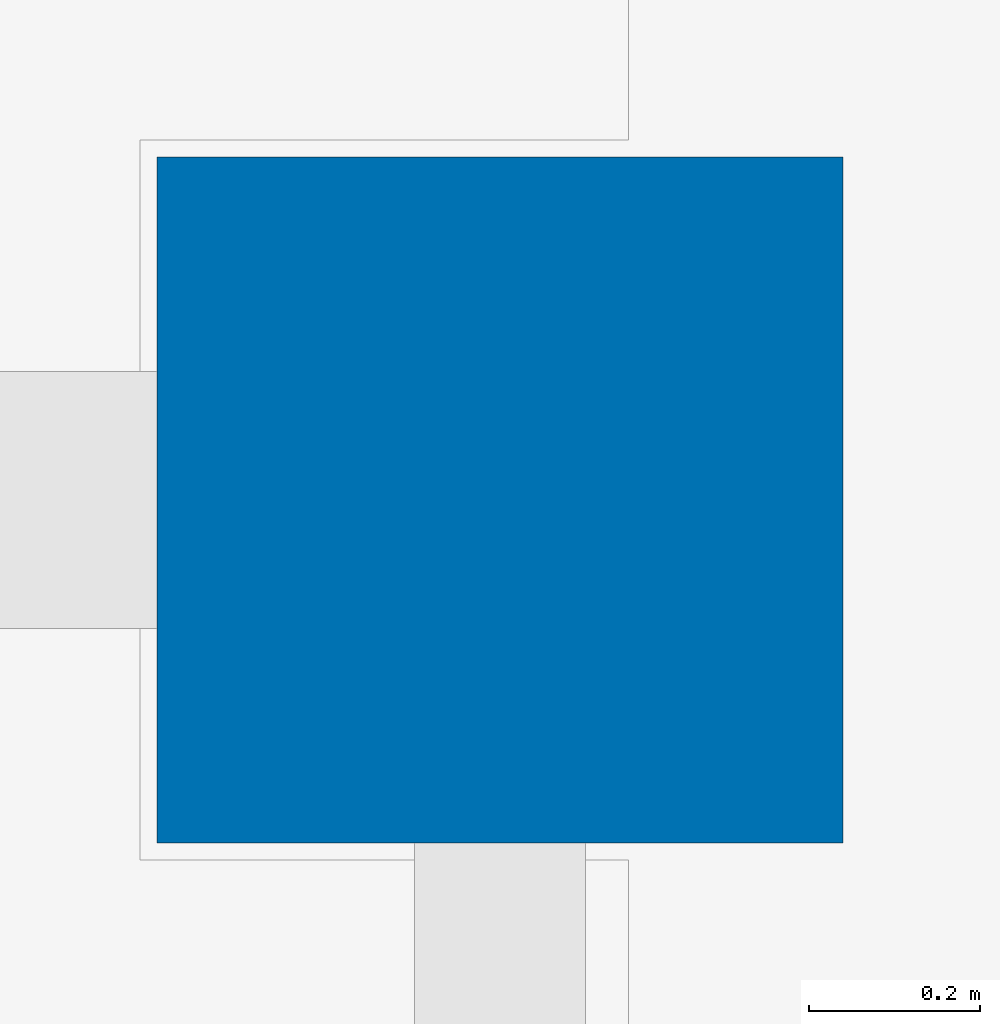
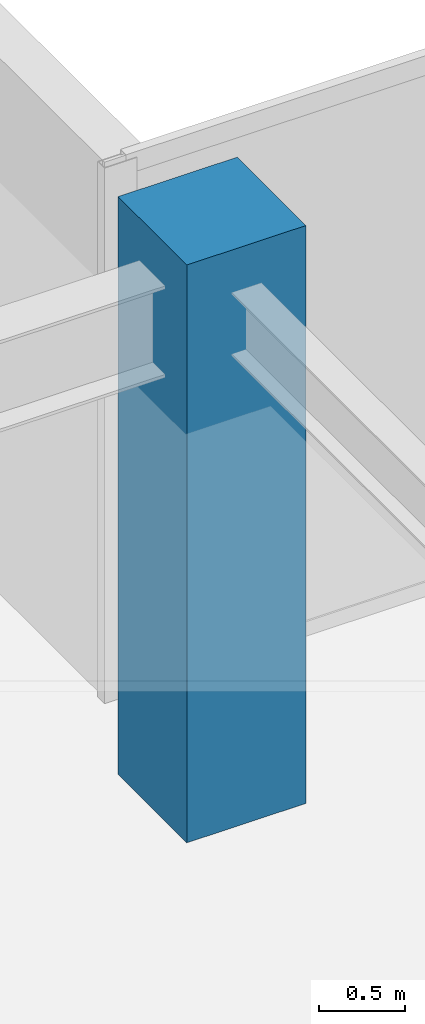
# One storey, part 4 of 36: 1 column.
"""IFC4 building model written with IfcOpenShell, lengths in metres."""

import ifcopenshell
import ifcopenshell.guid

model = None  # the IFC model being written
_history = None  # IfcOwnerHistory: only IFC2X3 demands one
_inside = {}  # id of a spatial element -> (the spatial element, [elements in it])
_under = {}  # id of a project, library or spatial element -> (it, [spatial elements below it])
_declared = {}  # id of a project -> (the project, [libraries it declares])
_typed = {}  # id of a type object -> (the type object, [elements of that type])
_made_of = {}  # id of a material, layer set ... -> (it, [elements and type objects made of it])


def new_model(schema):
    """Start an empty IFC model of exactly this schema.

    Asked for "IFC4X3", IfcOpenShell would pick the latest addendum, in which some entities
    have other attributes; the version numbers below select the first issue.
    IFC2X3 requires an IfcOwnerHistory on every rooted entity: one is made here for all.
    """
    global model, _history
    if schema == "IFC4X3":
        model = ifcopenshell.file(schema_version=(4, 3, 0, 0))
    else:
        model = ifcopenshell.file(schema=schema)
    _inside.clear()
    _under.clear()
    _declared.clear()
    _typed.clear()
    _made_of.clear()
    _history = None
    if model.schema == "IFC2X3":
        org = make("IfcOrganization", Name="unknown")
        user = make(
            "IfcPersonAndOrganization",
            ThePerson=make("IfcPerson", FamilyName="unknown"),
            TheOrganization=org,
        )
        app = make(
            "IfcApplication",
            ApplicationDeveloper=org,
            Version="unknown",
            ApplicationFullName="unknown",
            ApplicationIdentifier="unknown",
        )
        _history = make(
            "IfcOwnerHistory",
            OwningUser=user,
            OwningApplication=app,
            ChangeAction="ADDED",
            CreationDate=0,
        )
    return model


def make(cls, **values):
    """One entity of the class cls with the attributes given. An attribute that is None is left unset."""
    return model.create_entity(
        cls, **{name: value for name, value in values.items() if value is not None}
    )


def rooted(cls, **values):
    """An entity with a GlobalId (a new one), such as an element, a storey or a relation."""
    return make(cls, GlobalId=ifcopenshell.guid.new(), OwnerHistory=_history, **values)


def si_unit(unit_type, name, prefix=None):
    """IfcSIUnit, for example si_unit("LENGTHUNIT", "METRE", prefix="MILLI")."""
    return make("IfcSIUnit", UnitType=unit_type, Prefix=prefix, Name=name)


def assignment(units):
    """IfcUnitAssignment: the units of a project."""
    return None if units is None else make("IfcUnitAssignment", Units=units)


def point(xyz):
    """IfcCartesianPoint."""
    return None if xyz is None else make("IfcCartesianPoint", Coordinates=xyz)


def direction(xyz):
    """IfcDirection."""
    return None if xyz is None else make("IfcDirection", DirectionRatios=xyz)


def frame(location, z_axis=None, x_axis=None):
    """IfcAxis2Placement3D, a coordinate frame: its origin and axes. An axis left out is left unset."""
    return make(
        "IfcAxis2Placement3D",
        Location=point(location),
        Axis=direction(z_axis),
        RefDirection=direction(x_axis),
    )


def frame_2d(location, x_axis=None):
    """IfcAxis2Placement2D, a coordinate frame in the plane: its origin and x axis."""
    return make(
        "IfcAxis2Placement2D", Location=point(location), RefDirection=direction(x_axis)
    )


def origin():
    """The frame at (0, 0, 0) with its axes left unset."""
    return frame((0.0, 0.0, 0.0))


def origin_2d():
    """The frame at (0, 0) in the plane with its x axis left unset."""
    return frame_2d((0.0, 0.0))


def place(relative_to, where):
    """IfcLocalPlacement: puts the frame where relative to a parent placement (None: the world)."""
    return make(
        "IfcLocalPlacement", PlacementRelTo=relative_to, RelativePlacement=where
    )


def context(
    kind, dimensions, precision=None, world=None, true_north=None, identifier=None
):
    """IfcGeometricRepresentationContext, for example the 3D "Model" context."""
    return make(
        "IfcGeometricRepresentationContext",
        ContextIdentifier=identifier,
        ContextType=kind,
        CoordinateSpaceDimension=dimensions,
        Precision=precision,
        WorldCoordinateSystem=world,
        TrueNorth=true_north,
    )


def subcontext(parent, identifier, kind, view, scale=None):
    """IfcGeometricRepresentationSubContext, for example "Body" below "Model"."""
    return make(
        "IfcGeometricRepresentationSubContext",
        ContextIdentifier=identifier,
        ContextType=kind,
        ParentContext=parent,
        TargetScale=scale,
        TargetView=view,
    )


def project(units=None, contexts=None):
    """IfcProject with its units and contexts."""
    return rooted(
        "IfcProject",
        Name="project",
        RepresentationContexts=contexts,
        UnitsInContext=assignment(units),
    )


def spatial(cls, under=None, at=None, **own):
    """A site, building, storey or space (cls), placed at a placement, below another one or the project."""
    s = rooted(cls, ObjectPlacement=at, **own)
    if under is not None:
        _under.setdefault(under.id(), (under, []))[1].append(s)
    return s


def profile(cls, at=None, kind="AREA", **sizes):
    """A parametric profile (cls). Its sizes go by their IFC names, for example OverallWidth=200.0."""
    return make(cls, ProfileType=kind, Position=at, **sizes)


def rectangle(**sizes):
    """IfcRectangleProfileDef."""
    return profile("IfcRectangleProfileDef", **sizes)


def extrude(swept, where, along, depth):
    """IfcExtrudedAreaSolid: the profile swept, set in the frame where, extruded along a direction by depth."""
    return make(
        "IfcExtrudedAreaSolid",
        SweptArea=swept,
        Position=where,
        ExtrudedDirection=direction(along),
        Depth=depth,
    )


def shape(context_of_items, identifier, shape_type, items):
    """IfcShapeRepresentation: the items that make up one representation, for example the "Body"."""
    return make(
        "IfcShapeRepresentation",
        ContextOfItems=context_of_items,
        RepresentationIdentifier=identifier,
        RepresentationType=shape_type,
        Items=items,
    )


def source(mapping_origin, context_of_items, identifier, shape_type, items):
    """IfcRepresentationMap: a shape defined once, which mapped items show again and again."""
    return make(
        "IfcRepresentationMap",
        MappingOrigin=mapping_origin,
        MappedRepresentation=shape(context_of_items, identifier, shape_type, items),
    )


def transform(
    local_origin,
    x_axis=None,
    y_axis=None,
    z_axis=None,
    scale=None,
    scale2=None,
    scale3=None,
    uniform=True,
):
    """IfcCartesianTransformationOperator3D, or its non-uniform kind. x_axis, y_axis, z_axis: its Axis1, 2, 3."""
    if uniform:
        return make(
            "IfcCartesianTransformationOperator3D",
            Axis1=direction(x_axis),
            Axis2=direction(y_axis),
            LocalOrigin=point(local_origin),
            Scale=scale,
            Axis3=direction(z_axis),
        )
    return make(
        "IfcCartesianTransformationOperator3DnonUniform",
        Axis1=direction(x_axis),
        Axis2=direction(y_axis),
        LocalOrigin=point(local_origin),
        Scale=scale,
        Axis3=direction(z_axis),
        Scale2=scale2,
        Scale3=scale3,
    )


def mapped(mapping_source, mapping_target):
    """IfcMappedItem: shows the shape of a source again, moved by a transform."""
    return make(
        "IfcMappedItem", MappingSource=mapping_source, MappingTarget=mapping_target
    )


def material(Name=None, Category=None):
    """IfcMaterial."""
    return make("IfcMaterial", Name=Name, Category=Category)


def material_profile(
    of_material, cross_section, Name=None, Category=None, Priority=None
):
    """IfcMaterialProfile: a cross section and its material."""
    return make(
        "IfcMaterialProfile",
        Name=Name,
        Material=of_material,
        Profile=cross_section,
        Priority=Priority,
        Category=Category,
    )


def profile_set(profiles, Name=None, composite=None):
    """IfcMaterialProfileSet."""
    return make(
        "IfcMaterialProfileSet",
        Name=Name,
        MaterialProfiles=profiles,
        CompositeProfile=composite,
    )


def made_of(thing, what):
    """Note that an element or type object is made of a material, layer set ...; save() writes the relation."""
    if what is not None:
        _made_of.setdefault(what.id(), (what, []))[1].append(thing)
    return thing


def type_object(cls, material=None, **own):
    """A type object (cls), such as IfcWallType, which elements share."""
    return made_of(rooted(cls, **own), material)


def type_shapes(of_type, sources):
    """Give a type object the sources (RepresentationMaps) that its elements show as mapped items."""
    of_type.RepresentationMaps = sources


def element(
    cls,
    number,
    at=None,
    inside=None,
    cuts=None,
    type_object=None,
    material=None,
    context=None,
    identifier="Body",
    shape_type=None,
    held_by="IfcProductDefinitionShape",
    body=None,
    shapes=None,
    **own,
):
    """One element of the class cls, such as IfcWall. Its Tag is "e" and its number.

    at: its placement. inside: the storey or other place that contains it. cuts: it is an
    opening in that element (IfcRelVoidsElement). A single representation is given by context,
    identifier, shape_type and body (its items); several are given by shapes. held_by: the class
    of the entity that holds the representations. save() writes the other relations.
    """
    e = rooted(cls, Tag="e%d" % number, ObjectPlacement=at, **own)
    if body is not None:
        shapes = [shape(context, identifier, shape_type, body)]
    if shapes is not None:
        e.Representation = make(held_by, Representations=shapes)
    if inside is not None:
        _inside.setdefault(inside.id(), (inside, []))[1].append(e)
    if cuts is not None:
        rooted(
            "IfcRelVoidsElement", RelatingBuildingElement=cuts, RelatedOpeningElement=e
        )
    if type_object is not None:
        _typed.setdefault(type_object.id(), (type_object, []))[1].append(e)
    return made_of(e, material)


def aggregate(whole, parts):
    """IfcRelAggregates: a whole, such as a stair, and the parts it consists of."""
    return rooted("IfcRelAggregates", RelatingObject=whole, RelatedObjects=parts)


def save(model, path):
    """Write the relations noted so far, then the file.

    IfcRelAggregates (storeys below a building ...), IfcRelContainedInSpatialStructure (elements
    in a storey), IfcRelDefinesByType, IfcRelAssociatesMaterial and IfcRelDeclares: one each for
    every whole, place, type object, material and project.
    """
    for whole, parts in _under.values():
        aggregate(whole, parts)
    for where, things in _inside.values():
        rooted(
            "IfcRelContainedInSpatialStructure",
            RelatedElements=things,
            RelatingStructure=where,
        )
    for kind, things in _typed.values():
        rooted("IfcRelDefinesByType", RelatedObjects=things, RelatingType=kind)
    for what, things in _made_of.values():
        rooted("IfcRelAssociatesMaterial", RelatedObjects=things, RelatingMaterial=what)
    for by, libraries in _declared.values():
        rooted("IfcRelDeclares", RelatingContext=by, RelatedDefinitions=libraries)
    model.write(path)


model = new_model("IFC4")

# Units and contexts
model_context = context("Model", 3, precision=1e-05, world=origin(), true_north=direction((0.0, 1.0)))
body_context = subcontext(model_context, "Body", "Model", "MODEL_VIEW")
ifc_project = project(units=[si_unit("LENGTHUNIT", "METRE"), si_unit("AREAUNIT", "SQUARE_METRE"), si_unit("VOLUMEUNIT", "CUBIC_METRE"), si_unit("PLANEANGLEUNIT", "RADIAN"), si_unit("MASSUNIT", "GRAM", prefix="KILO")], contexts=[model_context])

# Site, building, storey
site_placement = place(None, origin())
site = spatial("IfcSite", under=ifc_project, at=site_placement, CompositionType="ELEMENT")
building_placement = place(site_placement, origin())
building = spatial("IfcBuilding", under=site, at=building_placement, Name="Haelvirn Gate Laboratories", CompositionType="ELEMENT")
storey_placement = place(building_placement, frame((0.0, 0.0, 262.89990234375)))
storey = spatial("IfcBuildingStorey", under=building, at=storey_placement, Name="L63", CompositionType="ELEMENT", Elevation=262.89990234375)

# Column
ifc_material = material(Name="Concrete C50/60", Category="concrete")
ifc_material_profile = material_profile(ifc_material, rectangle(XDim=0.800048828125, YDim=0.800048828125, at=origin_2d()), Name="RC-800x800")
ifc_profile_set = profile_set([ifc_material_profile], Name="Concrete C50/60")
column_type = type_object("IfcColumnType", Name="COL-RC-800", PredefinedType="COLUMN", material=ifc_profile_set)
shared_shape = source(origin(), body_context, "Body", "SweptSolid", [
    extrude(rectangle(XDim=0.800048828125, YDim=0.800048828125, at=origin_2d()), origin(), (0.0, 0.0, 1.0), 4.10009765625),
])
type_shapes(column_type, [shared_shape])
column_placement = place(storey_placement, frame((67.39990234375, 41.60009765625, 0.0), z_axis=(0.0, 0.0, 1.0), x_axis=(1.0, 0.0, 0.0)))
element("IfcColumn", 1, at=column_placement, inside=storey, type_object=column_type, Name="L63 Column 10G", PredefinedType="COLUMN", context=body_context, shape_type="MappedRepresentation", body=[
    mapped(shared_shape, transform((0.0, 0.0, 0.0), scale=1.0)),
])

save(model, "model.ifc")
